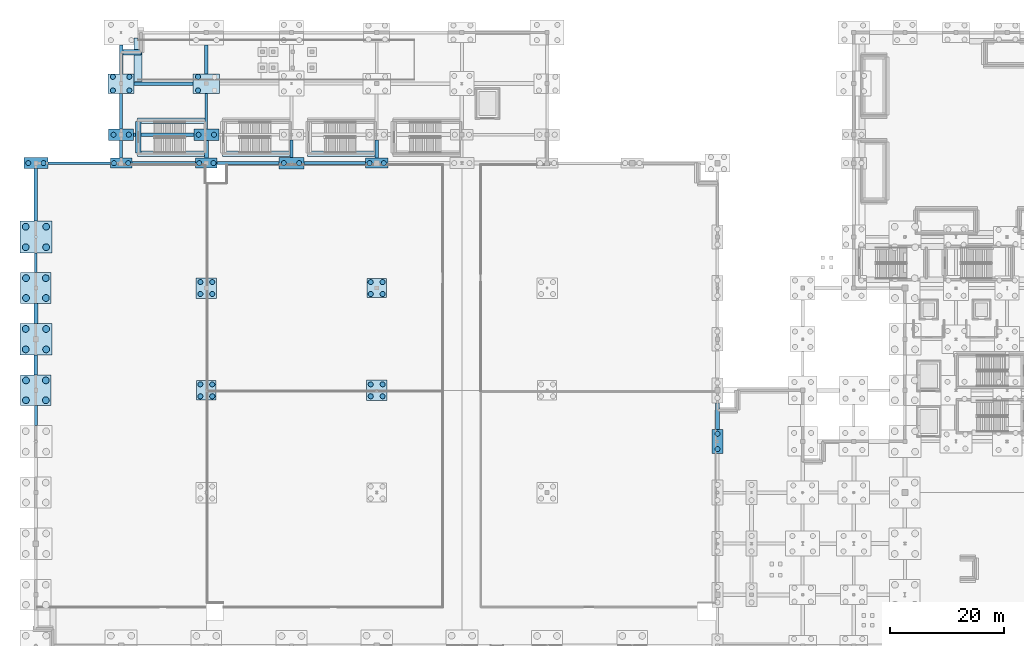
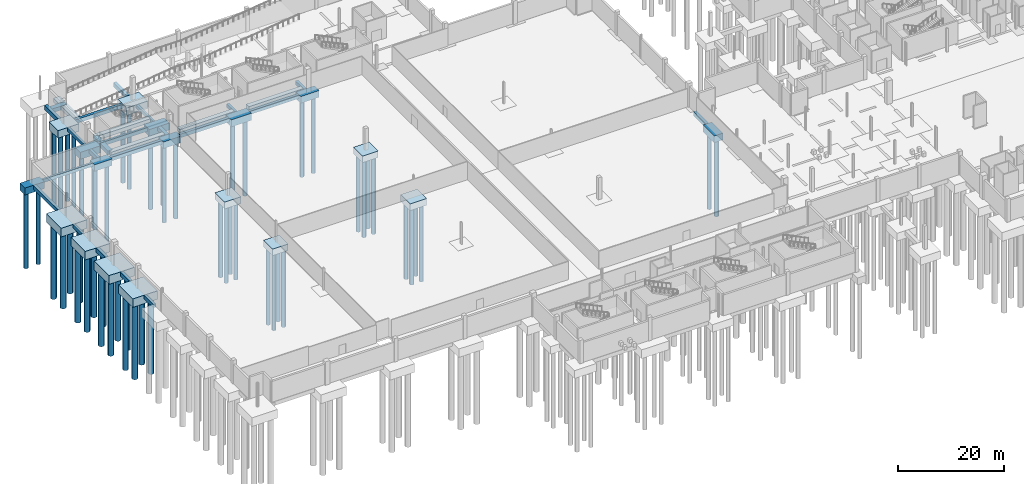
# One storey, part 3 of 58: 54 piles, 45 footings.
"""IFC4 building model written with IfcOpenShell, lengths in metres."""

from ifc_helpers import new_model, si_unit, direction, frame, origin, origin_2d, place, context, subcontext, project, spatial, rectangle, circle, extrude, material, material_profile, profile_set, type_object, element, save


model = new_model("IFC4")

# Units and contexts
model_context = context("Model", 3, precision=1e-05, world=origin(), true_north=direction((0.0, 1.0)))
body_context = subcontext(model_context, "Body", "Model", "MODEL_VIEW")
ifc_project = project(units=[si_unit("LENGTHUNIT", "METRE"), si_unit("AREAUNIT", "SQUARE_METRE"), si_unit("VOLUMEUNIT", "CUBIC_METRE"), si_unit("PLANEANGLEUNIT", "RADIAN"), si_unit("MASSUNIT", "GRAM", prefix="KILO")], contexts=[model_context])

# Site, building, storey
site_placement = place(None, origin())
site = spatial("IfcSite", under=ifc_project, at=site_placement, CompositionType="ELEMENT")
building_placement = place(site_placement, origin())
building = spatial("IfcBuilding", under=site, at=building_placement, Name="Qamarlyn Nura Convention Centre", CompositionType="ELEMENT")
storey_placement = place(building_placement, frame((0.0, 0.0, -5.39990234375)))
storey = spatial("IfcBuildingStorey", under=building, at=storey_placement, Name="B01", CompositionType="ELEMENT", Elevation=-5.39990234375)

# Footings
ifc_material = material(Name="Concrete C40/50", Category="concrete")
ifc_material_profile_1 = material_profile(ifc_material, rectangle(XDim=0.449951171875, YDim=0.75, at=origin_2d()), Name="RC GB 450x750")
ifc_profile_set_1 = profile_set([ifc_material_profile_1], Name="Concrete C40/50")
footing_type_1 = type_object("IfcFootingType", Name="GB-450X750", PredefinedType="FOOTING_BEAM", material=ifc_profile_set_1)
footing_1_placement = place(storey_placement, frame((2.10009765625, 103.0, -0.375), z_axis=(1.0, 0.0, 0.0), x_axis=(0.0, 1.0, 0.0)))
element("IfcFooting", 1, at=footing_1_placement, inside=storey, type_object=footing_type_1, Name="Ground tie beam M 1-2", PredefinedType="FOOTING_BEAM", context=body_context, shape_type="SweptSolid", body=[
    extrude(rectangle(XDim=0.449951171875, YDim=0.75, at=origin_2d()), origin(), (0.0, 0.0, 1.0), 11.0),
])
footing_2_placement = place(storey_placement, frame((0.0, 83.699951171875, -0.375), z_axis=(0.0, 1.0, 0.0), x_axis=(-1.0, 0.0, 0.0)))
element("IfcFooting", 2, at=footing_2_placement, inside=storey, type_object=footing_type_1, Name="Ground tie beam 1 K-L", PredefinedType="FOOTING_BEAM", context=body_context, shape_type="SweptSolid", body=[
    extrude(rectangle(XDim=0.449951171875, YDim=0.75, at=origin_2d()), origin(), (0.0, 0.0, 1.0), 3.5),
])
footing_3_placement = place(storey_placement, frame((30.0, 109.0, -0.375), z_axis=(0.0, 1.0, 0.0), x_axis=(-1.0, 0.0, 0.0)))
element("IfcFooting", 3, at=footing_3_placement, inside=storey, type_object=footing_type_1, Name="Ground tie beam 3 N-P", PredefinedType="FOOTING_BEAM", context=body_context, shape_type="SweptSolid", body=[
    extrude(rectangle(XDim=0.449951171875, YDim=0.75, at=origin_2d()), origin(), (0.0, 0.0, 1.0), 6.300048828125),
])
ifc_material_profile_2 = material_profile(ifc_material, rectangle(XDim=0.5, YDim=0.800048828125, at=origin_2d()), Name="RC GB 500x800")
ifc_profile_set_2 = profile_set([ifc_material_profile_2], Name="Concrete C40/50")
footing_type_2 = type_object("IfcFootingType", Name="GB-500X800", PredefinedType="FOOTING_BEAM", material=ifc_profile_set_2)
footing_4_placement = place(storey_placement, frame((47.199951171875, 103.0, -0.400146484375), z_axis=(1.0, 0.0, 0.0), x_axis=(0.0, 1.0, 0.0)))
element("IfcFooting", 4, at=footing_4_placement, inside=storey, type_object=footing_type_2, Name="Ground tie beam M 4-5", PredefinedType="FOOTING_BEAM", context=body_context, shape_type="SweptSolid", body=[
    extrude(rectangle(XDim=0.5, YDim=0.800048828125, at=origin_2d()), origin(), (0.0, 0.0, 1.0), 10.800048828125),
])
footing_5_placement = place(storey_placement, frame((0.0, 56.800048828125, -0.400146484375), z_axis=(0.0, 1.0, 0.0), x_axis=(-1.0, 0.0, 0.0)))
element("IfcFooting", 5, at=footing_5_placement, inside=storey, type_object=footing_type_2, Name="Ground tie beam 1 G-H", PredefinedType="FOOTING_BEAM", context=body_context, shape_type="SweptSolid", body=[
    extrude(rectangle(XDim=0.5, YDim=0.800048828125, at=origin_2d()), origin(), (0.0, 0.0, 1.0), 3.5),
])
footing_6_placement = place(storey_placement, frame((15.0, 109.0, -0.400146484375), z_axis=(0.0, 1.0, 0.0), x_axis=(-1.0, 0.0, 0.0)))
element("IfcFooting", 6, at=footing_6_placement, inside=storey, type_object=footing_type_2, Name="Ground tie beam 2 N-P", PredefinedType="FOOTING_BEAM", context=body_context, shape_type="SweptSolid", body=[
    extrude(rectangle(XDim=0.5, YDim=0.800048828125, at=origin_2d()), origin(), (0.0, 0.0, 1.0), 6.300048828125),
])
ifc_material_profile_3 = material_profile(ifc_material, rectangle(XDim=0.550048828125, YDim=0.85009765625, at=origin_2d()), Name="RC GB 550x850")
ifc_profile_set_3 = profile_set([ifc_material_profile_3], Name="Concrete C40/50")
footing_type_3 = type_object("IfcFootingType", Name="GB-550X850", PredefinedType="FOOTING_BEAM", material=ifc_profile_set_3)
footing_7_placement = place(storey_placement, frame((31.89990234375, 103.0, -0.425048828125), z_axis=(1.0, 0.0, 0.0), x_axis=(0.0, 1.0, 0.0)))
element("IfcFooting", 7, at=footing_7_placement, inside=storey, type_object=footing_type_3, Name="Ground tie beam M 3-4", PredefinedType="FOOTING_BEAM", context=body_context, shape_type="SweptSolid", body=[
    extrude(rectangle(XDim=0.550048828125, YDim=0.85009765625, at=origin_2d()), origin(), (0.0, 0.0, 1.0), 10.900146484375),
])
footing_8_placement = place(storey_placement, frame((17.199951171875, 108.0, -0.425048828125), z_axis=(1.0, 0.0, 0.0), x_axis=(0.0, 1.0, 0.0)))
element("IfcFooting", 8, at=footing_8_placement, inside=storey, type_object=footing_type_3, Name="Ground tie beam N 2-3", PredefinedType="FOOTING_BEAM", context=body_context, shape_type="SweptSolid", body=[
    extrude(rectangle(XDim=0.550048828125, YDim=0.85009765625, at=origin_2d()), origin(), (0.0, 0.0, 1.0), 10.60009765625),
])
footing_9_placement = place(storey_placement, frame((15.0, 103.89990234375, -0.425048828125), z_axis=(0.0, 1.0, 0.0), x_axis=(-1.0, 0.0, 0.0)))
element("IfcFooting", 9, at=footing_9_placement, inside=storey, type_object=footing_type_3, Name="Ground tie beam 2 M-N", PredefinedType="FOOTING_BEAM", context=body_context, shape_type="SweptSolid", body=[
    extrude(rectangle(XDim=0.550048828125, YDim=0.85009765625, at=origin_2d()), origin(), (0.0, 0.0, 1.0), 3.10009765625),
])
footing_10_placement = place(storey_placement, frame((45.0, 104.0, -0.425048828125), z_axis=(0.0, 1.0, 0.0), x_axis=(-1.0, 0.0, 0.0)))
element("IfcFooting", 10, at=footing_10_placement, inside=storey, type_object=footing_type_3, Name="Ground tie beam 4 M-N", PredefinedType="FOOTING_BEAM", context=body_context, shape_type="SweptSolid", body=[
    extrude(rectangle(XDim=0.550048828125, YDim=0.85009765625, at=origin_2d()), origin(), (0.0, 0.0, 1.0), 3.050048828125),
])
ifc_material_profile_4 = material_profile(ifc_material, rectangle(XDim=0.60009765625, YDim=0.89990234375, at=origin_2d()), Name="RC GB 600x900")
ifc_profile_set_4 = profile_set([ifc_material_profile_4], Name="Concrete C40/50")
footing_type_4 = type_object("IfcFootingType", Name="GB-600X900", PredefinedType="FOOTING_BEAM", material=ifc_profile_set_4)
footing_11_placement = place(storey_placement, frame((16.89990234375, 103.0, -0.4501953125), z_axis=(1.0, 0.0, 0.0), x_axis=(0.0, 1.0, 0.0)))
element("IfcFooting", 11, at=footing_11_placement, inside=storey, type_object=footing_type_4, Name="Ground tie beam M 2-3", PredefinedType="FOOTING_BEAM", context=body_context, shape_type="SweptSolid", body=[
    extrude(rectangle(XDim=0.60009765625, YDim=0.89990234375, at=origin_2d()), origin(), (0.0, 0.0, 1.0), 11.2001953125),
])
footing_12_placement = place(storey_placement, frame((17.300048828125, 117.0, -0.4501953125), z_axis=(1.0, 0.0, 0.0), x_axis=(0.0, 1.0, 0.0)))
element("IfcFooting", 12, at=footing_12_placement, inside=storey, type_object=footing_type_4, Name="Ground tie beam P 2-3", PredefinedType="FOOTING_BEAM", context=body_context, shape_type="SweptSolid", body=[
    extrude(rectangle(XDim=0.60009765625, YDim=0.89990234375, at=origin_2d()), origin(), (0.0, 0.0, 1.0), 10.39990234375),
])
footing_13_placement = place(storey_placement, frame((0.0, 92.800048828125, -0.4501953125), z_axis=(0.0, 1.0, 0.0), x_axis=(-1.0, 0.0, 0.0)))
element("IfcFooting", 13, at=footing_13_placement, inside=storey, type_object=footing_type_4, Name="Ground tie beam 1 L-M", PredefinedType="FOOTING_BEAM", context=body_context, shape_type="SweptSolid", body=[
    extrude(rectangle(XDim=0.60009765625, YDim=0.89990234375, at=origin_2d()), origin(), (0.0, 0.0, 1.0), 9.25),
])
footing_14_placement = place(storey_placement, frame((30.0, 118.699951171875, -0.4501953125), z_axis=(0.0, 1.0, 0.0), x_axis=(-1.0, 0.0, 0.0)))
element("IfcFooting", 14, at=footing_14_placement, inside=storey, type_object=footing_type_4, Name="Ground tie beam 3 P-Q", PredefinedType="FOOTING_BEAM", context=body_context, shape_type="SweptSolid", body=[
    extrude(rectangle(XDim=0.60009765625, YDim=0.89990234375, at=origin_2d()), origin(), (0.0, 0.0, 1.0), 5.10009765625),
])
footing_15_placement = place(storey_placement, frame((60.0, 103.89990234375, -0.4501953125), z_axis=(0.0, 1.0, 0.0), x_axis=(-1.0, 0.0, 0.0)))
element("IfcFooting", 15, at=footing_15_placement, inside=storey, type_object=footing_type_4, Name="Ground tie beam 5 M-N", PredefinedType="FOOTING_BEAM", context=body_context, shape_type="SweptSolid", body=[
    extrude(rectangle(XDim=0.60009765625, YDim=0.89990234375, at=origin_2d()), origin(), (0.0, 0.0, 1.0), 3.2001953125),
])
ifc_material_profile_5 = material_profile(ifc_material, rectangle(XDim=0.64990234375, YDim=0.949951171875, at=origin_2d()), Name="RC GB 650x950")
ifc_profile_set_5 = profile_set([ifc_material_profile_5], Name="Concrete C40/50")
footing_type_5 = type_object("IfcFootingType", Name="GB-650X950", PredefinedType="FOOTING_BEAM", material=ifc_profile_set_5)
footing_16_placement = place(storey_placement, frame((0.0, 65.699951171875, -0.47509765625), z_axis=(0.0, 1.0, 0.0), x_axis=(-1.0, 0.0, 0.0)))
element("IfcFooting", 16, at=footing_16_placement, inside=storey, type_object=footing_type_5, Name="Ground tie beam 1 H-J", PredefinedType="FOOTING_BEAM", context=body_context, shape_type="SweptSolid", body=[
    extrude(rectangle(XDim=0.64990234375, YDim=0.949951171875, at=origin_2d()), origin(), (0.0, 0.0, 1.0), 3.5),
])
footing_17_placement = place(storey_placement, frame((15.0, 118.699951171875, -0.47509765625), z_axis=(0.0, 1.0, 0.0), x_axis=(-1.0, 0.0, 0.0)))
element("IfcFooting", 17, at=footing_17_placement, inside=storey, type_object=footing_type_5, Name="Ground tie beam 2 P-Q", PredefinedType="FOOTING_BEAM", context=body_context, shape_type="SweptSolid", body=[
    extrude(rectangle(XDim=0.64990234375, YDim=0.949951171875, at=origin_2d()), origin(), (0.0, 0.0, 1.0), 5.10009765625),
])
footing_18_placement = place(storey_placement, frame((120.0, 56.10009765625, -0.47509765625), z_axis=(0.0, 1.0, 0.0), x_axis=(-1.0, 0.0, 0.0)))
element("IfcFooting", 18, at=footing_18_placement, inside=storey, type_object=footing_type_5, Name="Ground tie beam 9 G-H", PredefinedType="FOOTING_BEAM", context=body_context, shape_type="SweptSolid", body=[
    extrude(rectangle(XDim=0.64990234375, YDim=0.949951171875, at=origin_2d()), origin(), (0.0, 0.0, 1.0), 4.699951171875),
])
ifc_material_profile_6 = material_profile(ifc_material, rectangle(XDim=0.699951171875, YDim=1.0, at=origin_2d()), Name="RC GB 700x1000")
ifc_profile_set_6 = profile_set([ifc_material_profile_6], Name="Concrete C40/50")
footing_type_6 = type_object("IfcFootingType", Name="GB-700X1000", PredefinedType="FOOTING_BEAM", material=ifc_profile_set_6)
footing_19_placement = place(storey_placement, frame((0.0, 74.800048828125, -0.5), z_axis=(0.0, 1.0, 0.0), x_axis=(-1.0, 0.0, 0.0)))
element("IfcFooting", 19, at=footing_19_placement, inside=storey, type_object=footing_type_6, Name="Ground tie beam 1 J-K", PredefinedType="FOOTING_BEAM", context=body_context, shape_type="SweptSolid", body=[
    extrude(rectangle(XDim=0.699951171875, YDim=1.0, at=origin_2d()), origin(), (0.0, 0.0, 1.0), 3.5),
])
footing_20_placement = place(storey_placement, frame((30.0, 103.89990234375, -0.5), z_axis=(0.0, 1.0, 0.0), x_axis=(-1.0, 0.0, 0.0)))
element("IfcFooting", 20, at=footing_20_placement, inside=storey, type_object=footing_type_6, Name="Ground tie beam 3 M-N", PredefinedType="FOOTING_BEAM", context=body_context, shape_type="SweptSolid", body=[
    extrude(rectangle(XDim=0.699951171875, YDim=1.0, at=origin_2d()), origin(), (0.0, 0.0, 1.0), 3.10009765625),
])
footing_type_7 = type_object("IfcFootingType", Name="PC-MEGA-54", PredefinedType="PILE_CAP", material=ifc_material)
for number, where, z_axis, x_axis, name in (
    (21, (0.0, 63.0, -1.9501953125), (0.0, 0.0, 1.0), (1.0, 0.0, 0.0), "Pile cap CAP-1-H"),
    (22, (0.0, 81.0, -1.9501953125), (0.0, 0.0, 1.0), (1.0, 0.0, 0.0), "Pile cap CAP-1-K"),
):
    element("IfcFooting", number, at=place(storey_placement, frame(where, z_axis=z_axis, x_axis=x_axis)), inside=storey, type_object=footing_type_7, Name=name, PredefinedType="PILE_CAP", context=body_context, shape_type="SweptSolid", body=[
        extrude(rectangle(XDim=5.39990234375, YDim=5.39990234375, at=origin_2d()), origin(), (0.0, 0.0, 1.0), 1.949951171875),
    ])
footing_type_8 = type_object("IfcFootingType", Name="PC-MEGA-56", PredefinedType="PILE_CAP", material=ifc_material)
for number, where, z_axis, x_axis, name in (
    (23, (0.0, 72.0, -2.0), (0.0, 0.0, 1.0), (1.0, 0.0, 0.0), "Pile cap CAP-1-J"),
    (24, (0.0, 90.0, -2.0), (0.0, 0.0, 1.0), (1.0, 0.0, 0.0), "Pile cap CAP-1-L"),
):
    element("IfcFooting", number, at=place(storey_placement, frame(where, z_axis=z_axis, x_axis=x_axis)), inside=storey, type_object=footing_type_8, Name=name, PredefinedType="PILE_CAP", context=body_context, shape_type="SweptSolid", body=[
        extrude(rectangle(XDim=5.60009765625, YDim=5.60009765625, at=origin_2d()), origin(), (0.0, 0.0, 1.0), 2.0),
    ])
footing_type_9 = type_object("IfcFootingType", Name="PC-PAIR-19X42", PredefinedType="PILE_CAP", material=ifc_material)
footing_21_placement = place(storey_placement, frame((120.0, 54.0, -1.55029296875), z_axis=(0.0, 0.0, 1.0), x_axis=(1.0, 0.0, 0.0)))
element("IfcFooting", 25, at=footing_21_placement, inside=storey, type_object=footing_type_9, Name="Pile cap CAP-9-G", PredefinedType="PILE_CAP", context=body_context, shape_type="SweptSolid", body=[
    extrude(rectangle(XDim=1.89990234375, YDim=4.199951171875, at=origin_2d()), origin(), (0.0, 0.0, 1.0), 1.550048828125),
])
footing_type_10 = type_object("IfcFootingType", Name="PC-PAIR-38X18", PredefinedType="PILE_CAP", material=ifc_material)
for number, where, z_axis, x_axis, name in (
    (26, (15.0, 103.0, -1.5), (0.0, 0.0, 1.0), (1.0, 0.0, 0.0), "Pile cap CAP-2-M"),
    (27, (30.0, 103.0, -1.5), (0.0, 0.0, 1.0), (1.0, 0.0, 0.0), "Pile cap CAP-3-M"),
):
    element("IfcFooting", number, at=place(storey_placement, frame(where, z_axis=z_axis, x_axis=x_axis)), inside=storey, type_object=footing_type_10, Name=name, PredefinedType="PILE_CAP", context=body_context, shape_type="SweptSolid", body=[
        extrude(rectangle(XDim=3.800048828125, YDim=1.800048828125, at=origin_2d()), origin(), (0.0, 0.0, 1.0), 1.5),
    ])
footing_type_11 = type_object("IfcFootingType", Name="PC-PAIR-40X18", PredefinedType="PILE_CAP", material=ifc_material)
footing_22_placement = place(storey_placement, frame((60.0, 103.0, -1.55029296875), z_axis=(0.0, 0.0, 1.0), x_axis=(1.0, 0.0, 0.0)))
element("IfcFooting", 28, at=footing_22_placement, inside=storey, type_object=footing_type_11, Name="Pile cap CAP-5-M", PredefinedType="PILE_CAP", context=body_context, shape_type="SweptSolid", body=[
    extrude(rectangle(XDim=4.0, YDim=1.800048828125, at=origin_2d()), origin(), (0.0, 0.0, 1.0), 1.550048828125),
])
footing_type_12 = type_object("IfcFootingType", Name="PC-PAIR-42X19", PredefinedType="PILE_CAP", material=ifc_material)
footing_23_placement = place(storey_placement, frame((0.0, 103.0, -1.60009765625), z_axis=(0.0, 0.0, 1.0), x_axis=(1.0, 0.0, 0.0)))
element("IfcFooting", 29, at=footing_23_placement, inside=storey, type_object=footing_type_12, Name="Pile cap CAP-1-M", PredefinedType="PILE_CAP", context=body_context, shape_type="SweptSolid", body=[
    extrude(rectangle(XDim=4.199951171875, YDim=1.89990234375, at=origin_2d()), origin(), (0.0, 0.0, 1.0), 1.60009765625),
])
footing_type_13 = type_object("IfcFootingType", Name="PC-PAIR-44X20", PredefinedType="PILE_CAP", material=ifc_material)
for number, where, z_axis, x_axis, name in (
    (30, (15.0, 108.0, -1.60009765625), (0.0, 0.0, 1.0), (1.0, 0.0, 0.0), "Pile cap CAP-2-N"),
    (31, (30.0, 108.0, -1.60009765625), (0.0, 0.0, 1.0), (1.0, 0.0, 0.0), "Pile cap CAP-3-N"),
    (32, (45.0, 103.0, -1.60009765625), (0.0, 0.0, 1.0), (1.0, 0.0, 0.0), "Pile cap CAP-4-M"),
):
    element("IfcFooting", number, at=place(storey_placement, frame(where, z_axis=z_axis, x_axis=x_axis)), inside=storey, type_object=footing_type_13, Name=name, PredefinedType="PILE_CAP", context=body_context, shape_type="SweptSolid", body=[
        extrude(rectangle(XDim=4.39990234375, YDim=2.0, at=origin_2d()), origin(), (0.0, 0.0, 1.0), 1.60009765625),
    ])
footing_type_14 = type_object("IfcFootingType", Name="PC-RECT-46X34", PredefinedType="PILE_CAP", material=ifc_material)
for number, where, z_axis, x_axis, name in (
    (33, (15.0, 117.0, -1.75), (0.0, 0.0, 1.0), (1.0, 0.0, 0.0), "Pile cap CAP-2-P"),
    (34, (30.0, 117.0, -1.75), (0.0, 0.0, 1.0), (1.0, 0.0, 0.0), "Pile cap CAP-3-P"),
):
    element("IfcFooting", number, at=place(storey_placement, frame(where, z_axis=z_axis, x_axis=x_axis)), inside=storey, type_object=footing_type_14, Name=name, PredefinedType="PILE_CAP", context=body_context, shape_type="SweptSolid", body=[
        extrude(rectangle(XDim=4.60009765625, YDim=3.39990234375, at=origin_2d()), origin(), (0.0, 0.0, 1.0), 1.75),
    ])
footing_type_15 = type_object("IfcFootingType", Name="PC-SUB-34X34", PredefinedType="PILE_CAP", material=ifc_material)
for number, where, z_axis, x_axis, name in (
    (35, (30.0, 63.0, -1.5), (0.0, 0.0, 1.0), (1.0, 0.0, 0.0), "Pile cap CAP-3-H"),
    (36, (60.0, 81.0, -1.5), (0.0, 0.0, 1.0), (1.0, 0.0, 0.0), "Pile cap CAP-5-K"),
):
    element("IfcFooting", number, at=place(storey_placement, frame(where, z_axis=z_axis, x_axis=x_axis)), inside=storey, type_object=footing_type_15, Name=name, PredefinedType="PILE_CAP", context=body_context, shape_type="SweptSolid", body=[
        extrude(rectangle(XDim=3.39990234375, YDim=3.39990234375, at=origin_2d()), origin(), (0.0, 0.0, 1.0), 1.5),
    ])
footing_type_16 = type_object("IfcFootingType", Name="PC-SUB-36X36", PredefinedType="PILE_CAP", material=ifc_material)
for number, where, z_axis, x_axis, name in (
    (37, (30.0, 81.0, -1.55029296875), (0.0, 0.0, 1.0), (1.0, 0.0, 0.0), "Pile cap CAP-3-K"),
    (38, (60.0, 63.0, -1.55029296875), (0.0, 0.0, 1.0), (1.0, 0.0, 0.0), "Pile cap CAP-5-H"),
):
    element("IfcFooting", number, at=place(storey_placement, frame(where, z_axis=z_axis, x_axis=x_axis)), inside=storey, type_object=footing_type_16, Name=name, PredefinedType="PILE_CAP", context=body_context, shape_type="SweptSolid", body=[
        extrude(rectangle(XDim=3.60009765625, YDim=3.60009765625, at=origin_2d()), origin(), (0.0, 0.0, 1.0), 1.550048828125),
    ])
footing_type_17 = type_object("IfcFootingType", Name="PF-MID-160", PredefinedType="PAD_FOOTING", material=ifc_material)
footing_24_placement = place(storey_placement, frame((18.0, 121.199951171875, -0.900146484375), z_axis=(0.0, 0.0, 1.0), x_axis=(1.0, 0.0, 0.0)))
element("IfcFooting", 39, at=footing_24_placement, inside=storey, type_object=footing_type_17, Name="Vehicle ramp lower sill footing", PredefinedType="PAD_FOOTING", context=body_context, shape_type="SweptSolid", body=[
    extrude(rectangle(XDim=1.39990234375, YDim=7.60009765625, at=origin_2d()), origin(), (0.0, 0.0, 1.0), 0.89990234375),
])

# Piles
ifc_material_profile_7 = material_profile(ifc_material, circle(Radius=0.60009765625, at=origin_2d()), Name="BORED PILE 1200")
ifc_profile_set_7 = profile_set([ifc_material_profile_7], Name="Concrete C40/50")
pile_type_1 = type_object("IfcPileType", Name="PILE-1200", PredefinedType="BORED", material=ifc_profile_set_7)
for number, where, z_axis, x_axis, name in (
    (40, (-1.75, 61.25, -1.800048828125), (0.0, 0.0, -1.0), (1.0, 0.0, 0.0), "Bored pile PILE-1-H-1"),
    (41, (1.75, 61.25, -1.800048828125), (0.0, 0.0, -1.0), (1.0, 0.0, 0.0), "Bored pile PILE-1-H-2"),
    (42, (-1.75, 64.75, -1.800048828125), (0.0, 0.0, -1.0), (1.0, 0.0, 0.0), "Bored pile PILE-1-H-3"),
    (43, (1.75, 64.75, -1.800048828125), (0.0, 0.0, -1.0), (1.0, 0.0, 0.0), "Bored pile PILE-1-H-4"),
):
    element("IfcPile", number, at=place(storey_placement, frame(where, z_axis=z_axis, x_axis=x_axis)), inside=storey, type_object=pile_type_1, Name=name, PredefinedType="BORED", context=body_context, shape_type="SweptSolid", body=[
        extrude(circle(Radius=0.60009765625, at=origin_2d()), origin(), (0.0, 0.0, 1.0), 17.300048828125),
    ])
for number, where, z_axis, x_axis, name in (
    (44, (-1.800048828125, 70.199951171875, -1.85009765625), (0.0, 0.0, -1.0), (1.0, 0.0, 0.0), "Bored pile PILE-1-J-1"),
    (45, (1.800048828125, 70.199951171875, -1.85009765625), (0.0, 0.0, -1.0), (1.0, 0.0, 0.0), "Bored pile PILE-1-J-2"),
    (46, (-1.800048828125, 73.800048828125, -1.85009765625), (0.0, 0.0, -1.0), (1.0, 0.0, 0.0), "Bored pile PILE-1-J-3"),
    (47, (1.800048828125, 73.800048828125, -1.85009765625), (0.0, 0.0, -1.0), (1.0, 0.0, 0.0), "Bored pile PILE-1-J-4"),
):
    element("IfcPile", number, at=place(storey_placement, frame(where, z_axis=z_axis, x_axis=x_axis)), inside=storey, type_object=pile_type_1, Name=name, PredefinedType="BORED", context=body_context, shape_type="SweptSolid", body=[
        extrude(circle(Radius=0.60009765625, at=origin_2d()), origin(), (0.0, 0.0, 1.0), 17.25),
    ])
for number, where, z_axis, x_axis, name in (
    (48, (-1.75, 79.25, -1.800048828125), (0.0, 0.0, -1.0), (1.0, 0.0, 0.0), "Bored pile PILE-1-K-1"),
    (49, (1.75, 79.25, -1.800048828125), (0.0, 0.0, -1.0), (1.0, 0.0, 0.0), "Bored pile PILE-1-K-2"),
    (50, (-1.75, 82.75, -1.800048828125), (0.0, 0.0, -1.0), (1.0, 0.0, 0.0), "Bored pile PILE-1-K-3"),
    (51, (1.75, 82.75, -1.800048828125), (0.0, 0.0, -1.0), (1.0, 0.0, 0.0), "Bored pile PILE-1-K-4"),
):
    element("IfcPile", number, at=place(storey_placement, frame(where, z_axis=z_axis, x_axis=x_axis)), inside=storey, type_object=pile_type_1, Name=name, PredefinedType="BORED", context=body_context, shape_type="SweptSolid", body=[
        extrude(circle(Radius=0.60009765625, at=origin_2d()), origin(), (0.0, 0.0, 1.0), 17.300048828125),
    ])
for number, where, z_axis, x_axis, name in (
    (52, (-1.800048828125, 88.199951171875, -1.85009765625), (0.0, 0.0, -1.0), (1.0, 0.0, 0.0), "Bored pile PILE-1-L-1"),
    (53, (1.800048828125, 88.199951171875, -1.85009765625), (0.0, 0.0, -1.0), (1.0, 0.0, 0.0), "Bored pile PILE-1-L-2"),
    (54, (-1.800048828125, 91.800048828125, -1.85009765625), (0.0, 0.0, -1.0), (1.0, 0.0, 0.0), "Bored pile PILE-1-L-3"),
    (55, (1.800048828125, 91.800048828125, -1.85009765625), (0.0, 0.0, -1.0), (1.0, 0.0, 0.0), "Bored pile PILE-1-L-4"),
):
    element("IfcPile", number, at=place(storey_placement, frame(where, z_axis=z_axis, x_axis=x_axis)), inside=storey, type_object=pile_type_1, Name=name, PredefinedType="BORED", context=body_context, shape_type="SweptSolid", body=[
        extrude(circle(Radius=0.60009765625, at=origin_2d()), origin(), (0.0, 0.0, 1.0), 17.25),
    ])
ifc_material_profile_8 = material_profile(ifc_material, circle(Radius=0.449951171875, at=origin_2d()), Name="BORED PILE 900")
ifc_profile_set_8 = profile_set([ifc_material_profile_8], Name="Concrete C40/50")
pile_type_2 = type_object("IfcPileType", Name="PILE-900", PredefinedType="BORED", material=ifc_profile_set_8)
for number, where, z_axis, x_axis, name in (
    (56, (-1.35009765625, 103.0, -1.4501953125), (0.0, 0.0, -1.0), (1.0, 0.0, 0.0), "Bored pile PILE-1-M-1"),
    (57, (1.35009765625, 103.0, -1.4501953125), (0.0, 0.0, -1.0), (1.0, 0.0, 0.0), "Bored pile PILE-1-M-2"),
):
    element("IfcPile", number, at=place(storey_placement, frame(where, z_axis=z_axis, x_axis=x_axis)), inside=storey, type_object=pile_type_2, Name=name, PredefinedType="BORED", context=body_context, shape_type="SweptSolid", body=[
        extrude(circle(Radius=0.449951171875, at=origin_2d()), origin(), (0.0, 0.0, 1.0), 17.64990234375),
    ])
for number, where, z_axis, x_axis, name in (
    (58, (13.75, 103.0, -1.35009765625), (0.0, 0.0, -1.0), (1.0, 0.0, 0.0), "Bored pile PILE-2-M-1"),
    (59, (16.25, 103.0, -1.35009765625), (0.0, 0.0, -1.0), (1.0, 0.0, 0.0), "Bored pile PILE-2-M-2"),
):
    element("IfcPile", number, at=place(storey_placement, frame(where, z_axis=z_axis, x_axis=x_axis)), inside=storey, type_object=pile_type_2, Name=name, PredefinedType="BORED", context=body_context, shape_type="SweptSolid", body=[
        extrude(circle(Radius=0.449951171875, at=origin_2d()), origin(), (0.0, 0.0, 1.0), 17.75),
    ])
for number, where, z_axis, x_axis, name in (
    (60, (13.64990234375, 108.0, -1.4501953125), (0.0, 0.0, -1.0), (1.0, 0.0, 0.0), "Bored pile PILE-2-N-1"),
    (61, (16.35009765625, 108.0, -1.4501953125), (0.0, 0.0, -1.0), (1.0, 0.0, 0.0), "Bored pile PILE-2-N-2"),
):
    element("IfcPile", number, at=place(storey_placement, frame(where, z_axis=z_axis, x_axis=x_axis)), inside=storey, type_object=pile_type_2, Name=name, PredefinedType="BORED", context=body_context, shape_type="SweptSolid", body=[
        extrude(circle(Radius=0.449951171875, at=origin_2d()), origin(), (0.0, 0.0, 1.0), 17.64990234375),
    ])
for number, where, z_axis, x_axis, name in (
    (62, (13.550048828125, 115.800048828125, -1.60009765625), (0.0, 0.0, -1.0), (1.0, 0.0, 0.0), "Bored pile PILE-2-P-1"),
    (63, (16.449951171875, 115.800048828125, -1.60009765625), (0.0, 0.0, -1.0), (1.0, 0.0, 0.0), "Bored pile PILE-2-P-2"),
    (64, (13.550048828125, 118.199951171875, -1.60009765625), (0.0, 0.0, -1.0), (1.0, 0.0, 0.0), "Bored pile PILE-2-P-3"),
    (65, (16.449951171875, 118.199951171875, -1.60009765625), (0.0, 0.0, -1.0), (1.0, 0.0, 0.0), "Bored pile PILE-2-P-4"),
):
    element("IfcPile", number, at=place(storey_placement, frame(where, z_axis=z_axis, x_axis=x_axis)), inside=storey, type_object=pile_type_2, Name=name, PredefinedType="BORED", context=body_context, shape_type="SweptSolid", body=[
        extrude(circle(Radius=0.449951171875, at=origin_2d()), origin(), (0.0, 0.0, 1.0), 17.5),
    ])
for number, where, z_axis, x_axis, name in (
    (66, (28.949951171875, 61.949951171875, -1.35009765625), (0.0, 0.0, -1.0), (1.0, 0.0, 0.0), "Bored pile PILE-3-H-1"),
    (67, (31.050048828125, 61.949951171875, -1.35009765625), (0.0, 0.0, -1.0), (1.0, 0.0, 0.0), "Bored pile PILE-3-H-2"),
    (68, (28.949951171875, 64.050048828125, -1.35009765625), (0.0, 0.0, -1.0), (1.0, 0.0, 0.0), "Bored pile PILE-3-H-3"),
    (69, (31.050048828125, 64.050048828125, -1.35009765625), (0.0, 0.0, -1.0), (1.0, 0.0, 0.0), "Bored pile PILE-3-H-4"),
):
    element("IfcPile", number, at=place(storey_placement, frame(where, z_axis=z_axis, x_axis=x_axis)), inside=storey, type_object=pile_type_2, Name=name, PredefinedType="BORED", context=body_context, shape_type="SweptSolid", body=[
        extrude(circle(Radius=0.449951171875, at=origin_2d()), origin(), (0.0, 0.0, 1.0), 17.75),
    ])
for number, where, z_axis, x_axis, name in (
    (70, (28.949951171875, 79.949951171875, -1.400146484375), (0.0, 0.0, -1.0), (1.0, 0.0, 0.0), "Bored pile PILE-3-K-1"),
    (71, (31.050048828125, 79.949951171875, -1.400146484375), (0.0, 0.0, -1.0), (1.0, 0.0, 0.0), "Bored pile PILE-3-K-2"),
    (72, (28.949951171875, 82.050048828125, -1.400146484375), (0.0, 0.0, -1.0), (1.0, 0.0, 0.0), "Bored pile PILE-3-K-3"),
    (73, (31.050048828125, 82.050048828125, -1.400146484375), (0.0, 0.0, -1.0), (1.0, 0.0, 0.0), "Bored pile PILE-3-K-4"),
):
    element("IfcPile", number, at=place(storey_placement, frame(where, z_axis=z_axis, x_axis=x_axis)), inside=storey, type_object=pile_type_2, Name=name, PredefinedType="BORED", context=body_context, shape_type="SweptSolid", body=[
        extrude(circle(Radius=0.449951171875, at=origin_2d()), origin(), (0.0, 0.0, 1.0), 17.699951171875),
    ])
for number, where, z_axis, x_axis, name in (
    (74, (28.75, 103.0, -1.35009765625), (0.0, 0.0, -1.0), (1.0, 0.0, 0.0), "Bored pile PILE-3-M-1"),
    (75, (31.25, 103.0, -1.35009765625), (0.0, 0.0, -1.0), (1.0, 0.0, 0.0), "Bored pile PILE-3-M-2"),
):
    element("IfcPile", number, at=place(storey_placement, frame(where, z_axis=z_axis, x_axis=x_axis)), inside=storey, type_object=pile_type_2, Name=name, PredefinedType="BORED", context=body_context, shape_type="SweptSolid", body=[
        extrude(circle(Radius=0.449951171875, at=origin_2d()), origin(), (0.0, 0.0, 1.0), 17.75),
    ])
for number, where, z_axis, x_axis, name in (
    (76, (28.64990234375, 108.0, -1.4501953125), (0.0, 0.0, -1.0), (1.0, 0.0, 0.0), "Bored pile PILE-3-N-1"),
    (77, (31.35009765625, 108.0, -1.4501953125), (0.0, 0.0, -1.0), (1.0, 0.0, 0.0), "Bored pile PILE-3-N-2"),
):
    element("IfcPile", number, at=place(storey_placement, frame(where, z_axis=z_axis, x_axis=x_axis)), inside=storey, type_object=pile_type_2, Name=name, PredefinedType="BORED", context=body_context, shape_type="SweptSolid", body=[
        extrude(circle(Radius=0.449951171875, at=origin_2d()), origin(), (0.0, 0.0, 1.0), 17.64990234375),
    ])
for number, where, z_axis, x_axis, name in (
    (78, (28.550048828125, 115.800048828125, -1.60009765625), (0.0, 0.0, -1.0), (1.0, 0.0, 0.0), "Bored pile PILE-3-P-1"),
    (79, (28.550048828125, 118.199951171875, -1.60009765625), (0.0, 0.0, -1.0), (1.0, 0.0, 0.0), "Bored pile PILE-3-P-3"),
):
    element("IfcPile", number, at=place(storey_placement, frame(where, z_axis=z_axis, x_axis=x_axis)), inside=storey, type_object=pile_type_2, Name=name, PredefinedType="BORED", context=body_context, shape_type="SweptSolid", body=[
        extrude(circle(Radius=0.449951171875, at=origin_2d()), origin(), (0.0, 0.0, 1.0), 17.5),
    ])
for number, where, z_axis, x_axis, name in (
    (80, (43.64990234375, 103.0, -1.4501953125), (0.0, 0.0, -1.0), (1.0, 0.0, 0.0), "Bored pile PILE-4-M-1"),
    (81, (46.35009765625, 103.0, -1.4501953125), (0.0, 0.0, -1.0), (1.0, 0.0, 0.0), "Bored pile PILE-4-M-2"),
):
    element("IfcPile", number, at=place(storey_placement, frame(where, z_axis=z_axis, x_axis=x_axis)), inside=storey, type_object=pile_type_2, Name=name, PredefinedType="BORED", context=body_context, shape_type="SweptSolid", body=[
        extrude(circle(Radius=0.449951171875, at=origin_2d()), origin(), (0.0, 0.0, 1.0), 17.64990234375),
    ])
for number, where, z_axis, x_axis, name in (
    (82, (58.949951171875, 61.949951171875, -1.400146484375), (0.0, 0.0, -1.0), (1.0, 0.0, 0.0), "Bored pile PILE-5-H-1"),
    (83, (61.050048828125, 61.949951171875, -1.400146484375), (0.0, 0.0, -1.0), (1.0, 0.0, 0.0), "Bored pile PILE-5-H-2"),
    (84, (58.949951171875, 64.050048828125, -1.400146484375), (0.0, 0.0, -1.0), (1.0, 0.0, 0.0), "Bored pile PILE-5-H-3"),
    (85, (61.050048828125, 64.050048828125, -1.400146484375), (0.0, 0.0, -1.0), (1.0, 0.0, 0.0), "Bored pile PILE-5-H-4"),
):
    element("IfcPile", number, at=place(storey_placement, frame(where, z_axis=z_axis, x_axis=x_axis)), inside=storey, type_object=pile_type_2, Name=name, PredefinedType="BORED", context=body_context, shape_type="SweptSolid", body=[
        extrude(circle(Radius=0.449951171875, at=origin_2d()), origin(), (0.0, 0.0, 1.0), 17.699951171875),
    ])
for number, where, z_axis, x_axis, name in (
    (86, (58.949951171875, 79.949951171875, -1.35009765625), (0.0, 0.0, -1.0), (1.0, 0.0, 0.0), "Bored pile PILE-5-K-1"),
    (87, (61.050048828125, 79.949951171875, -1.35009765625), (0.0, 0.0, -1.0), (1.0, 0.0, 0.0), "Bored pile PILE-5-K-2"),
    (88, (58.949951171875, 82.050048828125, -1.35009765625), (0.0, 0.0, -1.0), (1.0, 0.0, 0.0), "Bored pile PILE-5-K-3"),
    (89, (61.050048828125, 82.050048828125, -1.35009765625), (0.0, 0.0, -1.0), (1.0, 0.0, 0.0), "Bored pile PILE-5-K-4"),
):
    element("IfcPile", number, at=place(storey_placement, frame(where, z_axis=z_axis, x_axis=x_axis)), inside=storey, type_object=pile_type_2, Name=name, PredefinedType="BORED", context=body_context, shape_type="SweptSolid", body=[
        extrude(circle(Radius=0.449951171875, at=origin_2d()), origin(), (0.0, 0.0, 1.0), 17.75),
    ])
for number, where, z_axis, x_axis, name in (
    (90, (58.75, 103.0, -1.400146484375), (0.0, 0.0, -1.0), (1.0, 0.0, 0.0), "Bored pile PILE-5-M-1"),
    (91, (61.25, 103.0, -1.400146484375), (0.0, 0.0, -1.0), (1.0, 0.0, 0.0), "Bored pile PILE-5-M-2"),
    (92, (120.0, 52.64990234375, -1.400146484375), (0.0, 0.0, -1.0), (1.0, 0.0, 0.0), "Bored pile PILE-9-G-1"),
    (93, (120.0, 55.35009765625, -1.400146484375), (0.0, 0.0, -1.0), (1.0, 0.0, 0.0), "Bored pile PILE-9-G-2"),
):
    element("IfcPile", number, at=place(storey_placement, frame(where, z_axis=z_axis, x_axis=x_axis)), inside=storey, type_object=pile_type_2, Name=name, PredefinedType="BORED", context=body_context, shape_type="SweptSolid", body=[
        extrude(circle(Radius=0.449951171875, at=origin_2d()), origin(), (0.0, 0.0, 1.0), 17.699951171875),
    ])

# Footings
ifc_material_profile_9 = material_profile(ifc_material, rectangle(XDim=1.0, YDim=0.89990234375, at=origin_2d()), Name="RC STRIP 1000x900")
ifc_profile_set_9 = profile_set([ifc_material_profile_9], Name="Concrete C40/50")
footing_type_18 = type_object("IfcFootingType", Name="SF-WALL-1000", PredefinedType="STRIP_FOOTING", material=ifc_profile_set_9)
footing_25_placement = place(storey_placement, frame((15.0, 122.5, -0.4501953125), z_axis=(1.0, 0.0, 0.0), x_axis=(0.0, 1.0, 0.0)))
element("IfcFooting", 94, at=footing_25_placement, inside=storey, type_object=footing_type_18, Name="Strip footing WRET-B01-16-1", PredefinedType="STRIP_FOOTING", context=body_context, shape_type="SweptSolid", body=[
    extrude(rectangle(XDim=1.0, YDim=0.89990234375, at=origin_2d()), origin(), (0.0, 0.0, 1.0), 3.5),
])
for number, where, z_axis, x_axis, name in (
    (95, (17.85009765625, 104.625, -0.4501953125), (1.0, 0.0, 0.0), (0.0, 1.0, 0.0), "Strip footing WST-ST-01-B01-S-1"),
    (96, (29.949951171875, 110.47509765625, -0.4501953125), (-1.0, 0.0, 0.0), (0.0, -1.0, 0.0), "Strip footing WST-ST-01-B01-N-1"),
):
    element("IfcFooting", number, at=place(storey_placement, frame(where, z_axis=z_axis, x_axis=x_axis)), inside=storey, type_object=footing_type_18, Name=name, PredefinedType="STRIP_FOOTING", context=body_context, shape_type="SweptSolid", body=[
        extrude(rectangle(XDim=1.0, YDim=0.89990234375, at=origin_2d()), origin(), (0.0, 0.0, 1.0), 12.099853515625),
    ])
footing_26_placement = place(storey_placement, frame((18.02490234375, 110.300048828125, -0.4501953125), z_axis=(0.0, -1.0, 0.0), x_axis=(1.0, 0.0, 0.0)))
element("IfcFooting", 97, at=footing_26_placement, inside=storey, type_object=footing_type_18, Name="Strip footing WST-ST-01-B01-W-1", PredefinedType="STRIP_FOOTING", context=body_context, shape_type="SweptSolid", body=[
    extrude(rectangle(XDim=1.0, YDim=0.89990234375, at=origin_2d()), origin(), (0.0, 0.0, 1.0), 5.5),
])
for number, where, z_axis, x_axis, name in (
    (98, (32.85009765625, 104.625, -0.4501953125), (1.0, 0.0, 0.0), (0.0, 1.0, 0.0), "Strip footing WST-ST-02-B01-S-1"),
    (99, (47.85009765625, 104.625, -0.4501953125), (1.0, 0.0, 0.0), (0.0, 1.0, 0.0), "Strip footing WST-ST-03-B01-S-1"),
):
    element("IfcFooting", number, at=place(storey_placement, frame(where, z_axis=z_axis, x_axis=x_axis)), inside=storey, type_object=footing_type_18, Name=name, PredefinedType="STRIP_FOOTING", context=body_context, shape_type="SweptSolid", body=[
        extrude(rectangle(XDim=1.0, YDim=0.89990234375, at=origin_2d()), origin(), (0.0, 0.0, 1.0), 12.099853515625),
    ])

save(model, "model.ifc")
